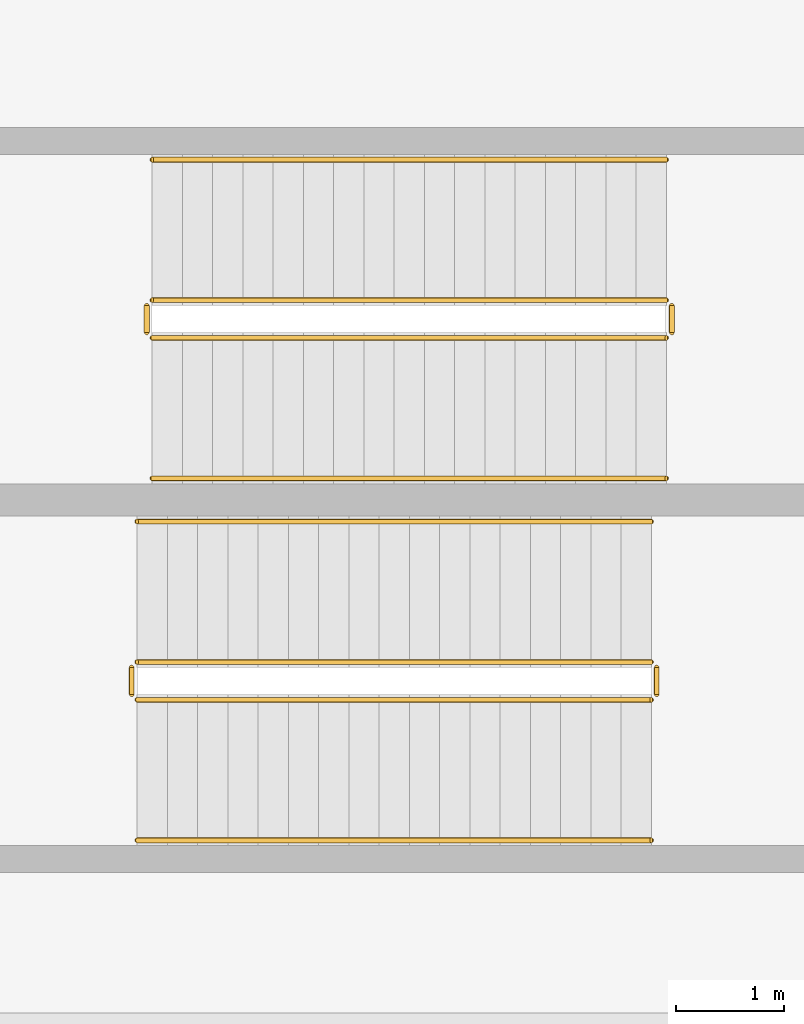
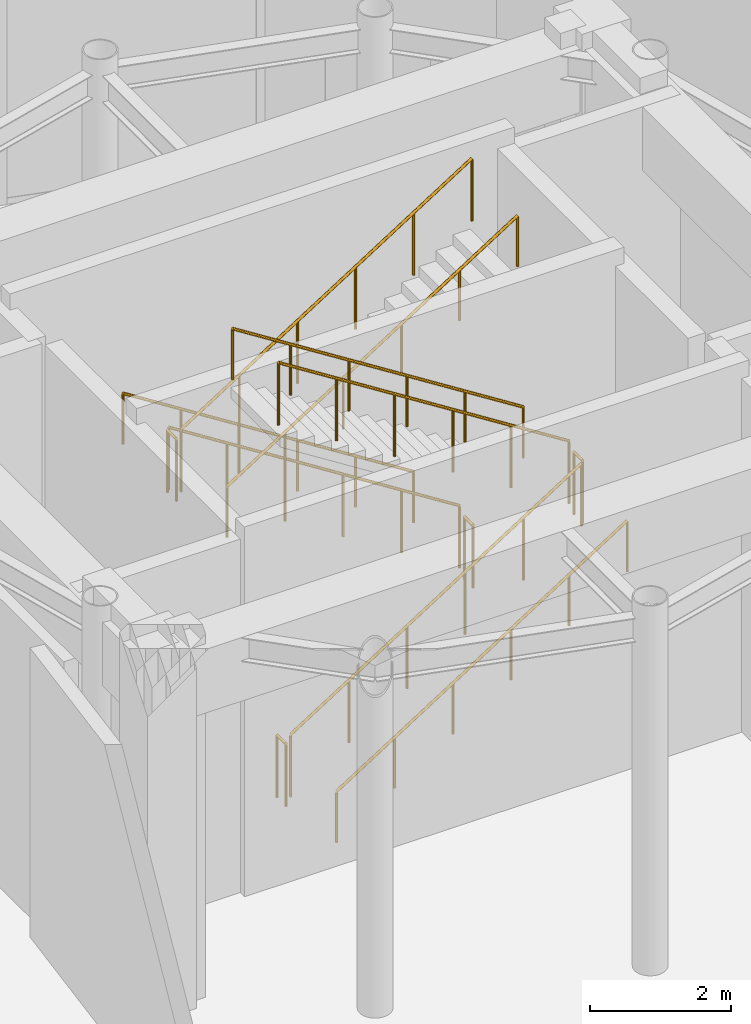
# One storey, part 10 of 10: 12 railings.
"""IFC4 building model written with IfcOpenShell, lengths in metres."""

from ifc_helpers import new_model, si_unit, direction, frame, origin, origin_2d, place, context, subcontext, project, spatial, circle, extrude, material, type_object, element, save


model = new_model("IFC4")

# Units and contexts
model_context = context("Model", 3, precision=1e-05, world=origin(), true_north=direction((0.0, 1.0)))
body_context = subcontext(model_context, "Body", "Model", "MODEL_VIEW")
ifc_project = project(units=[si_unit("LENGTHUNIT", "METRE"), si_unit("AREAUNIT", "SQUARE_METRE"), si_unit("VOLUMEUNIT", "CUBIC_METRE"), si_unit("PLANEANGLEUNIT", "RADIAN"), si_unit("MASSUNIT", "GRAM", prefix="KILO")], contexts=[model_context])

# Site, building, storey
site_placement = place(None, origin())
site = spatial("IfcSite", under=ifc_project, at=site_placement, CompositionType="ELEMENT")
building_placement = place(site_placement, origin())
building = spatial("IfcBuilding", under=site, at=building_placement, Name="Solvirekh Grand Hotel", CompositionType="ELEMENT")
storey_placement = place(building_placement, frame((0.0, 0.0, 308.199951171875)))
storey = spatial("IfcBuildingStorey", under=building, at=storey_placement, Name="L79", CompositionType="ELEMENT", Elevation=308.199951171875)

# Railings
ifc_material_1 = material(Name="Steel S355", Category="steel")
railing_type_1 = type_object("IfcRailingType", Name="Guard_Stair_1100", PredefinedType="GUARDRAIL", material=ifc_material_1)
railing_1_placement = place(storey_placement, frame((-2.449951171875, -1.85009765625, 0.177734375)))
element("IfcRailing", 1, at=railing_1_placement, inside=storey, type_object=railing_type_1, Name="L79 ST-1 stair guard 1", PredefinedType="GUARDRAIL", context=body_context, shape_type="SweptSolid", body=[
    extrude(circle(Radius=0.02392578125, at=origin_2d()), frame((0.0, 0.0, 1.076171875), z_axis=(0.844213748262, 0.0, 0.536006667166), x_axis=(0.0, 1.0, 0.0)), (0.0, 0.0, 1.0), 5.638427734375),
    extrude(circle(Radius=0.02099609375, at=origin_2d()), origin(), (0.0, 0.0, 1.0), 1.052001953125),
    extrude(circle(Radius=0.02099609375, at=origin_2d()), frame((0.951904296875, 0.0, 0.6044921875)), (0.0, 0.0, 1.0), 1.052001953125),
    extrude(circle(Radius=0.02099609375, at=origin_2d()), frame((1.904052734375, 0.0, 1.208984375)), (0.0, 0.0, 1.0), 1.052001953125),
    extrude(circle(Radius=0.02099609375, at=origin_2d()), frame((2.85595703125, 0.0, 1.813232421875)), (0.0, 0.0, 1.0), 1.052001953125),
    extrude(circle(Radius=0.02099609375, at=origin_2d()), frame((3.80810546875, 0.0, 2.417724609375)), (0.0, 0.0, 1.0), 1.052001953125),
    extrude(circle(Radius=0.02099609375, at=origin_2d()), frame((4.760009765625, 0.0, 3.022216796875)), (0.0, 0.0, 1.0), 1.052001953125),
])
railing_2_placement = place(storey_placement, frame((2.360107421875, -1.800048828125, 3.199951171875)))
element("IfcRailing", 2, at=railing_2_placement, inside=storey, type_object=railing_type_1, Name="L79 ST-1 stair guard 2", PredefinedType="GUARDRAIL", context=body_context, shape_type="SweptSolid", body=[
    extrude(circle(Radius=0.02392578125, at=origin_2d()), frame((0.0, 0.0, 1.076171875), z_axis=(0.0, 1.0, 0.0), x_axis=(-1.0, 0.0, 0.0)), (0.0, 0.0, 1.0), 0.25),
    extrude(circle(Radius=0.02099609375, at=origin_2d()), origin(), (0.0, 0.0, 1.0), 1.052001953125),
    extrude(circle(Radius=0.02099609375, at=origin_2d()), frame((0.0, 0.25, 0.0)), (0.0, 0.0, 1.0), 1.052001953125),
])
railing_3_placement = place(storey_placement, frame((2.31005859375, -1.5, 3.3779296875)))
element("IfcRailing", 3, at=railing_3_placement, inside=storey, type_object=railing_type_1, Name="L79 ST-1 stair guard 3", PredefinedType="GUARDRAIL", context=body_context, shape_type="SweptSolid", body=[
    extrude(circle(Radius=0.02392578125, at=origin_2d()), frame((0.0, 0.0, 1.076171875), z_axis=(-0.844213748262, 0.0, 0.536006667166), x_axis=(0.0, -1.0, 0.0)), (0.0, 0.0, 1.0), 5.638427734375),
    extrude(circle(Radius=0.02099609375, at=origin_2d()), origin(), (0.0, 0.0, 1.0), 1.052001953125),
    extrude(circle(Radius=0.02099609375, at=origin_2d()), frame((-0.951904296875, 0.0, 0.6044921875)), (0.0, 0.0, 1.0), 1.052001953125),
    extrude(circle(Radius=0.02099609375, at=origin_2d()), frame((-1.904052734375, 0.0, 1.208984375)), (0.0, 0.0, 1.0), 1.052001953125),
    extrude(circle(Radius=0.02099609375, at=origin_2d()), frame((-2.85595703125, 0.0, 1.813232421875)), (0.0, 0.0, 1.0), 1.052001953125),
    extrude(circle(Radius=0.02099609375, at=origin_2d()), frame((-3.80810546875, 0.0, 2.417724609375)), (0.0, 0.0, 1.0), 1.052001953125),
    extrude(circle(Radius=0.02099609375, at=origin_2d()), frame((-4.760009765625, 0.0, 3.022216796875)), (0.0, 0.0, 1.0), 1.052001953125),
])
railing_4_placement = place(storey_placement, frame((-2.5, -1.800048828125, 0.0)))
element("IfcRailing", 4, at=railing_4_placement, inside=storey, type_object=railing_type_1, Name="L79 ST-1 stair guard 4", PredefinedType="GUARDRAIL", context=body_context, shape_type="SweptSolid", body=[
    extrude(circle(Radius=0.02392578125, at=origin_2d()), frame((0.0, 0.0, 1.076171875), z_axis=(0.0, 1.0, 0.0), x_axis=(-1.0, 0.0, 0.0)), (0.0, 0.0, 1.0), 0.25),
    extrude(circle(Radius=0.02099609375, at=origin_2d()), origin(), (0.0, 0.0, 1.0), 1.052001953125),
    extrude(circle(Radius=0.02099609375, at=origin_2d()), frame((0.0, 0.25, 0.0)), (0.0, 0.0, 1.0), 1.052001953125),
])
railing_5_placement = place(storey_placement, frame((2.449951171875, 1.85009765625, 0.177734375)))
element("IfcRailing", 5, at=railing_5_placement, inside=storey, type_object=railing_type_1, Name="L79 ST-2 stair guard 1", PredefinedType="GUARDRAIL", context=body_context, shape_type="SweptSolid", body=[
    extrude(circle(Radius=0.02392578125, at=origin_2d()), frame((0.0, 0.0, 1.076171875), z_axis=(-0.844213748262, 0.0, 0.536006667166), x_axis=(0.0, -1.0, 0.0)), (0.0, 0.0, 1.0), 5.638427734375),
    extrude(circle(Radius=0.02099609375, at=origin_2d()), origin(), (0.0, 0.0, 1.0), 1.052001953125),
    extrude(circle(Radius=0.02099609375, at=origin_2d()), frame((-0.951904296875, 0.0, 0.6044921875)), (0.0, 0.0, 1.0), 1.052001953125),
    extrude(circle(Radius=0.02099609375, at=origin_2d()), frame((-1.904052734375, 0.0, 1.208984375)), (0.0, 0.0, 1.0), 1.052001953125),
    extrude(circle(Radius=0.02099609375, at=origin_2d()), frame((-2.85595703125, 0.0, 1.813232421875)), (0.0, 0.0, 1.0), 1.052001953125),
    extrude(circle(Radius=0.02099609375, at=origin_2d()), frame((-3.80810546875, 0.0, 2.417724609375)), (0.0, 0.0, 1.0), 1.052001953125),
    extrude(circle(Radius=0.02099609375, at=origin_2d()), frame((-4.760009765625, 0.0, 3.022216796875)), (0.0, 0.0, 1.0), 1.052001953125),
])
railing_6_placement = place(storey_placement, frame((-2.360107421875, 1.800048828125, 3.199951171875)))
element("IfcRailing", 6, at=railing_6_placement, inside=storey, type_object=railing_type_1, Name="L79 ST-2 stair guard 2", PredefinedType="GUARDRAIL", context=body_context, shape_type="SweptSolid", body=[
    extrude(circle(Radius=0.02392578125, at=origin_2d()), frame((0.0, 0.0, 1.076171875), z_axis=(0.0, -1.0, 0.0), x_axis=(1.0, 0.0, 0.0)), (0.0, 0.0, 1.0), 0.25),
    extrude(circle(Radius=0.02099609375, at=origin_2d()), origin(), (0.0, 0.0, 1.0), 1.052001953125),
    extrude(circle(Radius=0.02099609375, at=origin_2d()), frame((0.0, -0.25, 0.0)), (0.0, 0.0, 1.0), 1.052001953125),
])
railing_7_placement = place(storey_placement, frame((-2.31005859375, 1.5, 3.3779296875)))
element("IfcRailing", 7, at=railing_7_placement, inside=storey, type_object=railing_type_1, Name="L79 ST-2 stair guard 3", PredefinedType="GUARDRAIL", context=body_context, shape_type="SweptSolid", body=[
    extrude(circle(Radius=0.02392578125, at=origin_2d()), frame((0.0, 0.0, 1.076171875), z_axis=(0.844213748262, 0.0, 0.536006667166), x_axis=(0.0, 1.0, 0.0)), (0.0, 0.0, 1.0), 5.638427734375),
    extrude(circle(Radius=0.02099609375, at=origin_2d()), origin(), (0.0, 0.0, 1.0), 1.052001953125),
    extrude(circle(Radius=0.02099609375, at=origin_2d()), frame((0.951904296875, 0.0, 0.6044921875)), (0.0, 0.0, 1.0), 1.052001953125),
    extrude(circle(Radius=0.02099609375, at=origin_2d()), frame((1.904052734375, 0.0, 1.208984375)), (0.0, 0.0, 1.0), 1.052001953125),
    extrude(circle(Radius=0.02099609375, at=origin_2d()), frame((2.85595703125, 0.0, 1.813232421875)), (0.0, 0.0, 1.0), 1.052001953125),
    extrude(circle(Radius=0.02099609375, at=origin_2d()), frame((3.80810546875, 0.0, 2.417724609375)), (0.0, 0.0, 1.0), 1.052001953125),
    extrude(circle(Radius=0.02099609375, at=origin_2d()), frame((4.760009765625, 0.0, 3.022216796875)), (0.0, 0.0, 1.0), 1.052001953125),
])
railing_8_placement = place(storey_placement, frame((2.5, 1.800048828125, 0.0)))
element("IfcRailing", 8, at=railing_8_placement, inside=storey, type_object=railing_type_1, Name="L79 ST-2 stair guard 4", PredefinedType="GUARDRAIL", context=body_context, shape_type="SweptSolid", body=[
    extrude(circle(Radius=0.02392578125, at=origin_2d()), frame((0.0, 0.0, 1.076171875), z_axis=(0.0, -1.0, 0.0), x_axis=(1.0, 0.0, 0.0)), (0.0, 0.0, 1.0), 0.25),
    extrude(circle(Radius=0.02099609375, at=origin_2d()), origin(), (0.0, 0.0, 1.0), 1.052001953125),
    extrude(circle(Radius=0.02099609375, at=origin_2d()), frame((0.0, -0.25, 0.0)), (0.0, 0.0, 1.0), 1.052001953125),
])
ifc_material_2 = material(Name="Anodized Bronze Aluminium 6063-T6", Category="aluminium")
railing_type_2 = type_object("IfcRailingType", Name="Handrail_Wall_900", PredefinedType="HANDRAIL", material=ifc_material_2)
railing_9_placement = place(storey_placement, frame((-2.449951171875, -3.14990234375, 0.177734375)))
element("IfcRailing", 9, at=railing_9_placement, inside=storey, type_object=railing_type_2, Name="L79 ST-1 stair handrail 1", PredefinedType="HANDRAIL", context=body_context, shape_type="SweptSolid", body=[
    extrude(circle(Radius=0.02392578125, at=origin_2d()), frame((0.0, 0.0, 0.8759765625), z_axis=(0.844213748262, 0.0, 0.536006667166), x_axis=(0.0, 1.0, 0.0)), (0.0, 0.0, 1.0), 5.638427734375),
    extrude(circle(Radius=0.02099609375, at=origin_2d()), origin(), (0.0, 0.0, 1.0), 0.851806640625),
    extrude(circle(Radius=0.02099609375, at=origin_2d()), frame((0.951904296875, 0.0, 0.6044921875)), (0.0, 0.0, 1.0), 0.851806640625),
    extrude(circle(Radius=0.02099609375, at=origin_2d()), frame((1.904052734375, 0.0, 1.208984375)), (0.0, 0.0, 1.0), 0.851806640625),
    extrude(circle(Radius=0.02099609375, at=origin_2d()), frame((2.85595703125, 0.0, 1.813232421875)), (0.0, 0.0, 1.0), 0.851806640625),
    extrude(circle(Radius=0.02099609375, at=origin_2d()), frame((3.80810546875, 0.0, 2.417724609375)), (0.0, 0.0, 1.0), 0.851806640625),
    extrude(circle(Radius=0.02099609375, at=origin_2d()), frame((4.760009765625, 0.0, 3.022216796875)), (0.0, 0.0, 1.0), 0.851806640625),
])
for number, where, name in (
    (10, (2.31005859375, -0.199951171875, 3.3779296875), "L79 ST-1 stair handrail 2"),
    (11, (2.449951171875, 3.14990234375, 0.177734375), "L79 ST-2 stair handrail 1"),
):
    element("IfcRailing", number, at=place(storey_placement, frame(where)), inside=storey, type_object=railing_type_2, Name=name, PredefinedType="HANDRAIL", context=body_context, shape_type="SweptSolid", body=[
        extrude(circle(Radius=0.02392578125, at=origin_2d()), frame((0.0, 0.0, 0.8759765625), z_axis=(-0.844213748262, 0.0, 0.536006667166), x_axis=(0.0, -1.0, 0.0)), (0.0, 0.0, 1.0), 5.638427734375),
        extrude(circle(Radius=0.02099609375, at=origin_2d()), origin(), (0.0, 0.0, 1.0), 0.851806640625),
        extrude(circle(Radius=0.02099609375, at=origin_2d()), frame((-0.951904296875, 0.0, 0.6044921875)), (0.0, 0.0, 1.0), 0.851806640625),
        extrude(circle(Radius=0.02099609375, at=origin_2d()), frame((-1.904052734375, 0.0, 1.208984375)), (0.0, 0.0, 1.0), 0.851806640625),
        extrude(circle(Radius=0.02099609375, at=origin_2d()), frame((-2.85595703125, 0.0, 1.813232421875)), (0.0, 0.0, 1.0), 0.851806640625),
        extrude(circle(Radius=0.02099609375, at=origin_2d()), frame((-3.80810546875, 0.0, 2.417724609375)), (0.0, 0.0, 1.0), 0.851806640625),
        extrude(circle(Radius=0.02099609375, at=origin_2d()), frame((-4.760009765625, 0.0, 3.022216796875)), (0.0, 0.0, 1.0), 0.851806640625),
    ])
railing_10_placement = place(storey_placement, frame((-2.31005859375, 0.199951171875, 3.3779296875)))
element("IfcRailing", 12, at=railing_10_placement, inside=storey, type_object=railing_type_2, Name="L79 ST-2 stair handrail 2", PredefinedType="HANDRAIL", context=body_context, shape_type="SweptSolid", body=[
    extrude(circle(Radius=0.02392578125, at=origin_2d()), frame((0.0, 0.0, 0.8759765625), z_axis=(0.844213748262, 0.0, 0.536006667166), x_axis=(0.0, 1.0, 0.0)), (0.0, 0.0, 1.0), 5.638427734375),
    extrude(circle(Radius=0.02099609375, at=origin_2d()), origin(), (0.0, 0.0, 1.0), 0.851806640625),
    extrude(circle(Radius=0.02099609375, at=origin_2d()), frame((0.951904296875, 0.0, 0.6044921875)), (0.0, 0.0, 1.0), 0.851806640625),
    extrude(circle(Radius=0.02099609375, at=origin_2d()), frame((1.904052734375, 0.0, 1.208984375)), (0.0, 0.0, 1.0), 0.851806640625),
    extrude(circle(Radius=0.02099609375, at=origin_2d()), frame((2.85595703125, 0.0, 1.813232421875)), (0.0, 0.0, 1.0), 0.851806640625),
    extrude(circle(Radius=0.02099609375, at=origin_2d()), frame((3.80810546875, 0.0, 2.417724609375)), (0.0, 0.0, 1.0), 0.851806640625),
    extrude(circle(Radius=0.02099609375, at=origin_2d()), frame((4.760009765625, 0.0, 3.022216796875)), (0.0, 0.0, 1.0), 0.851806640625),
])

save(model, "model.ifc")
